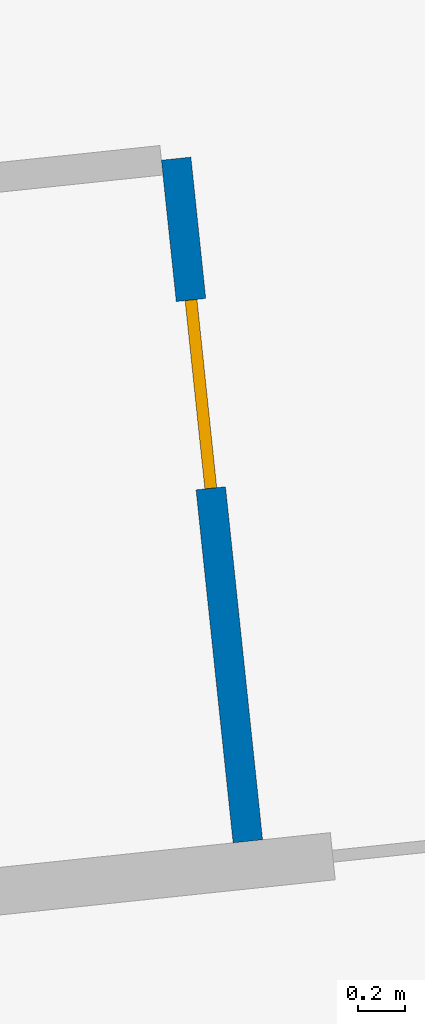
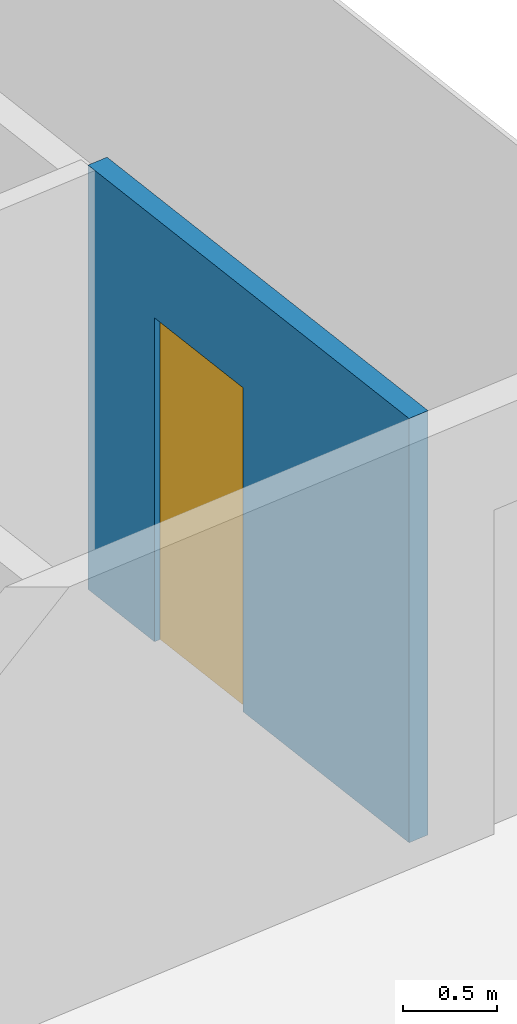
# One storey, part 18 of 27: 1 door, 1 wall, 1 opening.
"""IFC4 building model written with IfcOpenShell, lengths in metres."""

from ifc_helpers import new_model, si_unit, direction, frame, frame_2d, origin, place, context, subcontext, project, spatial, rectangle, extrude, material, layer, layer_set, type_object, element, fill, save


model = new_model("IFC4")

# Units and contexts
model_context = context("Model", 3, precision=1e-05, world=origin(), true_north=direction((0.0, 1.0)))
body_context = subcontext(model_context, "Body", "Model", "MODEL_VIEW")
ifc_project = project(units=[si_unit("LENGTHUNIT", "METRE"), si_unit("AREAUNIT", "SQUARE_METRE"), si_unit("VOLUMEUNIT", "CUBIC_METRE"), si_unit("PLANEANGLEUNIT", "RADIAN"), si_unit("MASSUNIT", "GRAM", prefix="KILO")], contexts=[model_context])

# Site, building, storey
site_placement = place(None, origin())
site = spatial("IfcSite", under=ifc_project, at=site_placement, CompositionType="ELEMENT")
building_placement = place(site_placement, origin())
building = spatial("IfcBuilding", under=site, at=building_placement, Name="Hakoniwa Tower and Hamabe Station Hall", CompositionType="ELEMENT")
storey_placement = place(building_placement, frame((0.0, 0.0, 248.60009765625)))
storey = spatial("IfcBuildingStorey", under=building, at=storey_placement, Name="L70", CompositionType="ELEMENT", Elevation=248.60009765625)

# Wall, opening, door
ifc_material_1 = material(Name="Gypsum board partition", Category="gypsum")
ifc_layer = layer(ifc_material_1, 0.125)
ifc_layer_set = layer_set([ifc_layer], Name="Bathroom Partition 125")
wall_type = type_object("IfcWallType", Name="Bathroom Partition 125", PredefinedType="PARTITIONING", material=ifc_layer_set)
wall_placement = place(storey_placement, frame((35.23193359375, 12.64990234375, 0.0), z_axis=(0.0, 0.0, 1.0), x_axis=(-0.104470059912, 0.994528032074, 0.0)))
wall = element("IfcWall", 1, at=wall_placement, inside=storey, type_object=wall_type, Name="GW-L70-048", PredefinedType="PARTITIONING", context=body_context, shape_type="SweptSolid", body=[
    extrude(rectangle(XDim=2.900146484375, YDim=0.125, at=frame_2d((1.4501953125, 0.0))), origin(), (0.0, 0.0, 1.0), 2.75),
])
opening_placement = place(wall_placement, frame((1.5, 0.0, 0.0)))
opening = element("IfcOpeningElement", 2, at=opening_placement, cuts=wall, Name="Opening GD-G5D0-32", PredefinedType="OPENING", context=body_context, shape_type="SweptSolid", body=[
    extrude(rectangle(XDim=0.800048828125, YDim=2.10009765625, at=frame_2d((0.39990234375, 1.050048828125))), frame((0.0, 0.072509765625, 0.0), z_axis=(0.0, -1.0, 0.0), x_axis=(1.0, 0.0, 0.0)), (0.0, 0.0, 1.0), 0.14501953125),
])
ifc_material_2 = material(Name="Timber door leaf", Category="wood")
door_type = type_object("IfcDoorType", Name="Bathroom Door 800", OperationType="SINGLE_SWING_LEFT", PredefinedType="DOOR", material=ifc_material_2)
door_placement = place(opening_placement, origin())
door = element("IfcDoor", 3, at=door_placement, inside=storey, type_object=door_type, Name="Door GD-G5D0-32", OperationType="SINGLE_SWING_LEFT", OverallHeight=2.10009765625, OverallWidth=0.800048828125, PredefinedType="DOOR", context=body_context, shape_type="SweptSolid", body=[
    extrude(rectangle(XDim=0.800048828125, YDim=2.10009765625, at=frame_2d((0.39990234375, 1.050048828125))), frame((0.0, 0.02490234375, 0.0), z_axis=(0.0, -1.0, 0.0), x_axis=(1.0, 0.0, 0.0)), (0.0, 0.0, 1.0), 0.050048828125),
])
fill(opening, door)

save(model, "model.ifc")
